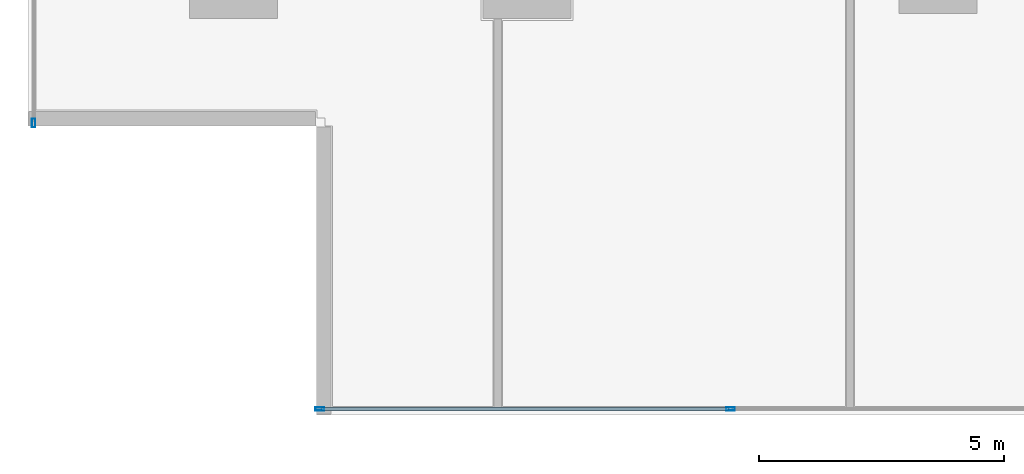
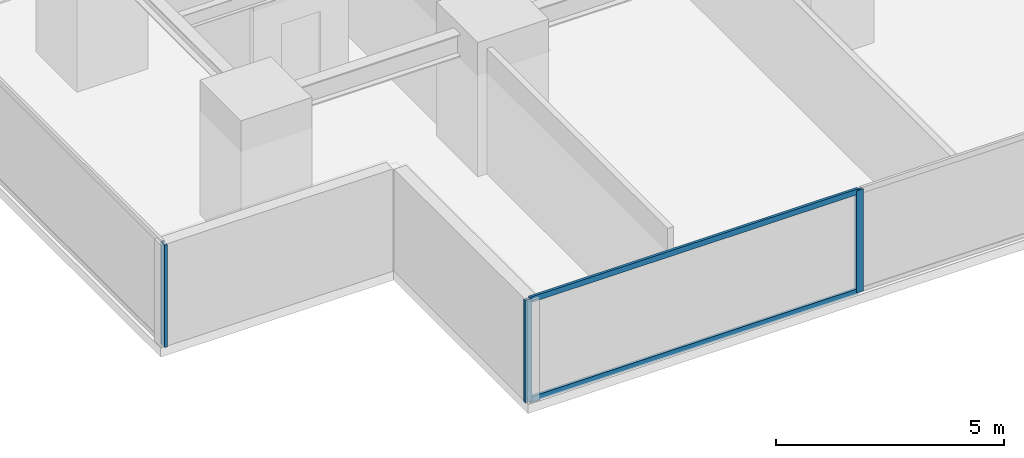
# One storey, part 2 of 32: 5 members, 2 elements without a shape of their own.
"""IFC4 building model written with IfcOpenShell, lengths in metres."""

from ifc_helpers import new_model, si_unit, direction, frame, origin, origin_2d, place, context, subcontext, project, spatial, hollow_rectangle, extrude, source, transform, mapped, material, layer, layer_set, material_profile, profile_set, type_object, element, aggregate, save


model = new_model("IFC4")

# Units and contexts
model_context = context("Model", 3, precision=1e-05, world=origin(), true_north=direction((0.0, 1.0)))
body_context = subcontext(model_context, "Body", "Model", "MODEL_VIEW")
ifc_project = project(units=[si_unit("LENGTHUNIT", "METRE"), si_unit("AREAUNIT", "SQUARE_METRE"), si_unit("VOLUMEUNIT", "CUBIC_METRE"), si_unit("PLANEANGLEUNIT", "RADIAN"), si_unit("MASSUNIT", "GRAM", prefix="KILO")], contexts=[model_context])

# Site, building, storey
site_placement = place(None, origin())
site = spatial("IfcSite", under=ifc_project, at=site_placement, CompositionType="ELEMENT")
building_placement = place(site_placement, origin())
building = spatial("IfcBuilding", under=site, at=building_placement, Name="Sumidabori Civic Tower", CompositionType="ELEMENT")
storey_placement = place(building_placement, frame((0.0, 0.0, 48.800048828125)))
storey = spatial("IfcBuildingStorey", under=building, at=storey_placement, Name="L12", CompositionType="ELEMENT", Elevation=48.800048828125)

# Curtain wall, members
ifc_material = material(Name="Anodised Bronze Aluminium AW-6063-T6", Category="aluminium")
ifc_layer = layer(ifc_material, 0.179931640625, Name="Anodised Bronze Aluminium AW-6063-T6")
ifc_layer_set = layer_set([ifc_layer], Name="Anodised Bronze Aluminium AW-6063-T6")
curtain_wall_type = type_object("IfcCurtainWallType", Name="CW-SYS-2", PredefinedType="NOTDEFINED", material=ifc_layer_set)
curtain_wall_1_placement = place(storey_placement, origin())
curtain_wall_1 = element("IfcCurtainWall", 1, at=curtain_wall_1_placement, inside=storey, type_object=curtain_wall_type, Name="Curtain Wall CW:L12:R01", PredefinedType="NOTDEFINED")
ifc_material_profile_1 = material_profile(ifc_material, hollow_rectangle(XDim=0.070068359375, YDim=0.179931640625, WallThickness=0.006103515625, at=origin_2d()), Name="ALU MULLION 180x70")
ifc_profile_set_1 = profile_set([ifc_material_profile_1], Name="Anodised Bronze Aluminium AW-6063-T6")
member_type_1 = type_object("IfcMemberType", Name="CW-MUL-180", PredefinedType="MULLION", material=ifc_profile_set_1)
shared_shape_1 = source(origin(), body_context, "Body", "SweptSolid", [
    extrude(hollow_rectangle(XDim=0.070068359375, YDim=0.179931640625, WallThickness=0.006103515625, at=origin_2d()), origin(), (0.0, 0.0, 1.0), 2.739990234375),
])
member_1_placement = place(storey_placement, frame((-21.034912109375, -26.8798828125, 0.0), z_axis=(0.0, 0.0, 1.0), x_axis=(0.0, 1.0, 0.0)))
member_1 = element("IfcMember", 2, at=member_1_placement, type_object=member_type_1, Name="CW-2 mullion 1", PredefinedType="MULLION", context=body_context, shape_type="MappedRepresentation", body=[
    mapped(shared_shape_1, transform((0.0, 0.0, 0.0), x_axis=(1.0, 0.0, 0.0), y_axis=(0.0, 1.0, 0.0), z_axis=(0.0, 0.0, 1.0), scale=1.0)),
])
member_2_placement = place(storey_placement, frame((-12.64208984375, -26.8798828125, 0.0), z_axis=(0.0, 0.0, 1.0), x_axis=(0.0, 1.0, 0.0)))
member_2 = element("IfcMember", 3, at=member_2_placement, type_object=member_type_1, Name="CW-2 mullion 2", PredefinedType="MULLION", context=body_context, shape_type="MappedRepresentation", body=[
    mapped(shared_shape_1, transform((0.0, 0.0, 0.0), x_axis=(1.0, 0.0, 0.0), y_axis=(0.0, 1.0, 0.0), z_axis=(0.0, 0.0, 1.0), scale=1.0)),
])

# Curtain wall, member
curtain_wall_2_placement = place(storey_placement, origin())
curtain_wall_2 = element("IfcCurtainWall", 4, at=curtain_wall_2_placement, inside=storey, type_object=curtain_wall_type, Name="Curtain Wall CW:L12:R10", PredefinedType="NOTDEFINED")
member_3_placement = place(storey_placement, frame((-26.8798828125, -21.034912109375, 0.0), z_axis=(0.0, 0.0, 1.0), x_axis=(1.0, 0.0, 0.0)))
member_3 = element("IfcMember", 5, at=member_3_placement, type_object=member_type_1, Name="CW-2 mullion 6", PredefinedType="MULLION", context=body_context, shape_type="MappedRepresentation", body=[
    mapped(shared_shape_1, transform((0.0, 0.0, 0.0), x_axis=(1.0, 0.0, 0.0), y_axis=(0.0, 1.0, 0.0), z_axis=(0.0, 0.0, 1.0), scale=1.0)),
])
aggregate(curtain_wall_2, [member_3])

# Member
ifc_material_profile_2 = material_profile(ifc_material, hollow_rectangle(XDim=0.06494140625, YDim=0.14990234375, WallThickness=0.0048828125, at=origin_2d()), Name="ALU TRANSOM 150x65")
ifc_profile_set_2 = profile_set([ifc_material_profile_2], Name="Anodised Bronze Aluminium AW-6063-T6")
member_type_2 = type_object("IfcMemberType", Name="CW-TRN-150", PredefinedType="USERDEFINED", material=ifc_profile_set_2)
shared_shape_2 = source(origin(), body_context, "Body", "SweptSolid", [
    extrude(hollow_rectangle(XDim=0.06494140625, YDim=0.14990234375, WallThickness=0.0048828125, at=origin_2d()), origin(), (0.0, 0.0, 1.0), 8.322998046875),
])
member_4_placement = place(storey_placement, frame((-21.0, -26.8798828125, 0.032470703125), z_axis=(1.0, 0.0, 0.0), x_axis=(0.0, 1.0, 0.0)))
member_4 = element("IfcMember", 6, at=member_4_placement, type_object=member_type_2, Name="CW-2 transom 1.1", ObjectType="TRANSOM", PredefinedType="USERDEFINED", context=body_context, shape_type="MappedRepresentation", body=[
    mapped(shared_shape_2, transform((0.0, 0.0, 0.0), x_axis=(1.0, 0.0, 0.0), y_axis=(0.0, 1.0, 0.0), z_axis=(0.0, 0.0, 1.0), scale=1.0)),
])

member_5_placement = place(storey_placement, frame((-21.0, -26.8798828125, 2.70751953125), z_axis=(1.0, 0.0, 0.0), x_axis=(0.0, 1.0, 0.0)))
member_5 = element("IfcMember", 7, at=member_5_placement, type_object=member_type_2, Name="CW-2 transom 1.2", ObjectType="TRANSOM", PredefinedType="USERDEFINED", context=body_context, shape_type="MappedRepresentation", body=[
    mapped(shared_shape_2, transform((0.0, 0.0, 0.0), x_axis=(1.0, 0.0, 0.0), y_axis=(0.0, 1.0, 0.0), z_axis=(0.0, 0.0, 1.0), scale=1.0)),
])

aggregate(curtain_wall_1, [member_1, member_2, member_4, member_5])

save(model, "model.ifc")
